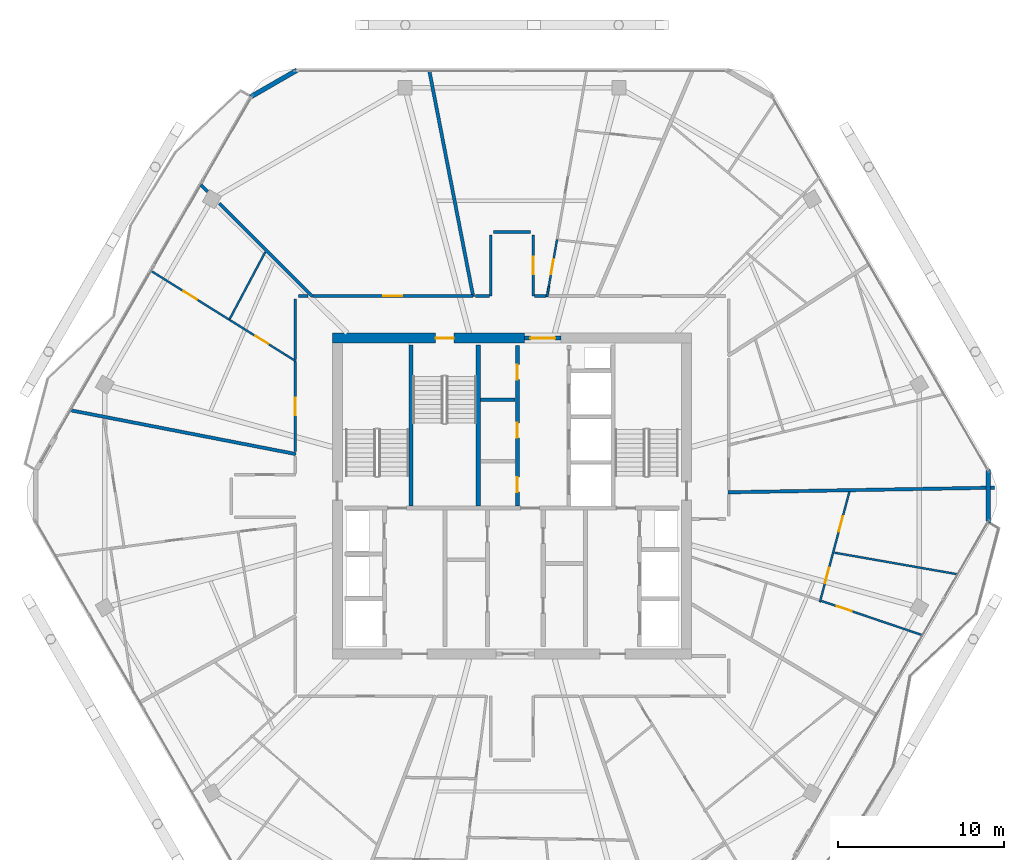
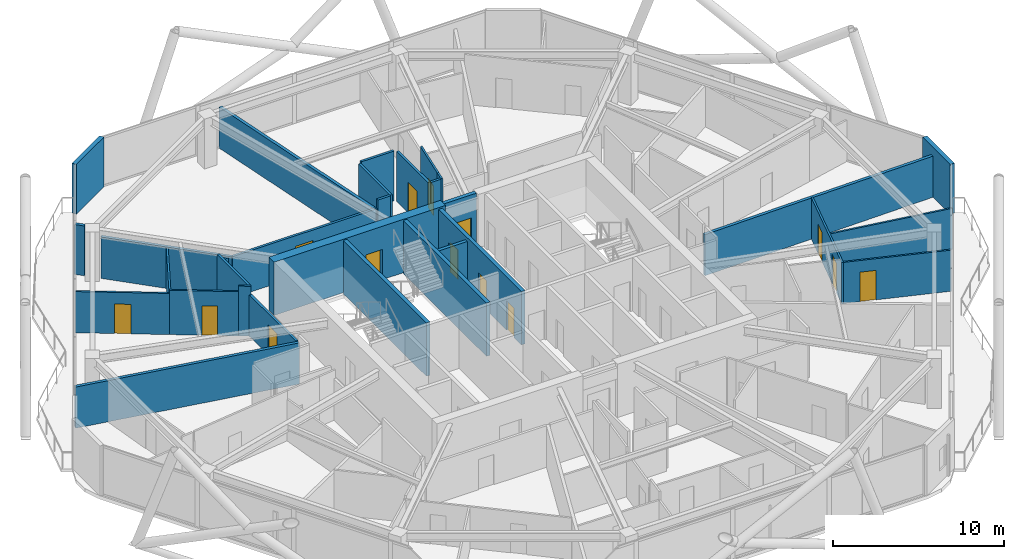
# One storey, part 23 of 29: 31 walls, 14 doors, 14 openings.
"""IFC4 building model written with IfcOpenShell, lengths in metres."""

from ifc_helpers import new_model, si_unit, direction, frame, frame_2d, origin, place, context, subcontext, project, spatial, rectangle, extrude, material, layer, layer_set, type_object, element, fill, save


model = new_model("IFC4")

# Units and contexts
model_context = context("Model", 3, precision=1e-05, world=origin(), true_north=direction((0.0, 1.0)))
body_context = subcontext(model_context, "Body", "Model", "MODEL_VIEW")
ifc_project = project(units=[si_unit("LENGTHUNIT", "METRE"), si_unit("AREAUNIT", "SQUARE_METRE"), si_unit("VOLUMEUNIT", "CUBIC_METRE"), si_unit("PLANEANGLEUNIT", "RADIAN"), si_unit("MASSUNIT", "GRAM", prefix="KILO")], contexts=[model_context])

# Site, building, storey
site_placement = place(None, origin())
site = spatial("IfcSite", under=ifc_project, at=site_placement, CompositionType="ELEMENT")
building_placement = place(site_placement, origin())
building = spatial("IfcBuilding", under=site, at=building_placement, Name="Zuhravey Tower", CompositionType="ELEMENT")
storey_placement = place(building_placement, frame((0.0, 0.0, 292.0)))
storey = spatial("IfcBuildingStorey", under=building, at=storey_placement, Name="L74", CompositionType="ELEMENT", Elevation=292.0)

# Wall, opening, door
ifc_material_1 = material(Name="Concrete C50/60", Category="concrete")
ifc_layer_1 = layer(ifc_material_1, 0.60009765625)
ifc_layer_set_1 = layer_set([ifc_layer_1], Name="Concrete C50/60")
wall_type_1 = type_object("IfcWallType", Name="Core Shear Wall 600", PredefinedType="SHEAR", material=ifc_layer_set_1)
wall_1_placement = place(storey_placement, frame((36.75, 41.5, 0.0), z_axis=(0.0, 0.0, 1.0), x_axis=(-1.0, 0.0, 0.0)))
wall_1 = element("IfcWall", 1, at=wall_1_placement, inside=storey, type_object=wall_type_1, Name="L74 North-West Core Shear Wall CW60", PredefinedType="SHEAR", context=body_context, shape_type="SweptSolid", body=[
    extrude(rectangle(XDim=11.550048828125, YDim=0.60009765625, at=frame_2d((5.77490234375, 0.0))), origin(), (0.0, 0.0, 1.0), 3.800048828125),
])
opening_1_placement = place(wall_1_placement, frame((4.25, 0.0, 0.0)))
opening_1 = element("IfcOpeningElement", 2, at=opening_1_placement, cuts=wall_1, Name="Opening STD1", PredefinedType="OPENING", context=body_context, shape_type="SweptSolid", body=[
    extrude(rectangle(XDim=1.10009765625, YDim=2.14990234375, at=frame_2d((0.550048828125, 1.074951171875))), frame((0.0, 0.31201171875, 0.0), z_axis=(0.0, -1.0, 0.0), x_axis=(1.0, 0.0, 0.0)), (0.0, 0.0, 1.0), 0.6240234375),
])
ifc_material_2 = material(Name="Galvanised fire-rated steel leaf", Category="steel")
door_type_1 = type_object("IfcDoorType", Name="Protected Stair Fire Door 1100x2150", OperationType="NOTDEFINED", PredefinedType="USERDEFINED", material=ifc_material_2)
door_1_placement = place(opening_1_placement, origin())
door_1 = element("IfcDoor", 3, at=door_1_placement, inside=storey, type_object=door_type_1, Name="L74 Stair ST3 Door", ObjectType="EXITDOOR", OperationType="SINGLE_SWING_RIGHT", OverallHeight=2.14990234375, OverallWidth=1.10009765625, PredefinedType="USERDEFINED", context=body_context, shape_type="SweptSolid", body=[
    extrude(rectangle(XDim=1.10009765625, YDim=2.14990234375, at=frame_2d((0.550048828125, 1.074951171875))), frame((0.0, 0.02490234375, 0.0), z_axis=(0.0, -1.0, 0.0), x_axis=(1.0, 0.0, 0.0)), (0.0, 0.0, 1.0), 0.050048828125),
])
fill(opening_1, door_1)

ifc_material_3 = material(Name="Gypsum fire-rated stud partition")
ifc_layer_2 = layer(ifc_material_3, 0.159912109375)
ifc_layer_set_2 = layer_set([ifc_layer_2], Name="Gypsum fire-rated stud partition")
wall_type_2 = type_object("IfcWallType", Name="Corridor Fire Partition 160", PredefinedType="PARTITIONING", material=ifc_layer_set_2)
wall_2_placement = place(storey_placement, frame((37.280029296875, 44.030029296875, 0.0), z_axis=(0.0, 0.0, 1.0), x_axis=(0.0, 1.0, 0.0)))
wall_2 = element("IfcWall", 4, at=wall_2_placement, inside=storey, type_object=wall_type_2, Name="L74 IW16 Partition 060", PredefinedType="PARTITIONING", context=body_context, shape_type="SweptSolid", body=[
    extrude(rectangle(XDim=3.669921875, YDim=0.159912109375, at=frame_2d((1.8349609375, 0.0))), origin(), (0.0, 0.0, 1.0), 3.550048828125),
])
opening_2_placement = place(wall_2_placement, frame((1.31005859375, 0.0, 0.0)))
opening_2 = element("IfcOpeningElement", 5, at=opening_2_placement, cuts=wall_2, Name="Opening APD1", PredefinedType="OPENING", context=body_context, shape_type="SweptSolid", body=[
    extrude(rectangle(XDim=1.050048828125, YDim=2.14990234375, at=frame_2d((0.52490234375, 1.074951171875))), frame((0.0, 0.092041015625, 0.0), z_axis=(0.0, -1.0, 0.0), x_axis=(1.0, 0.0, 0.0)), (0.0, 0.0, 1.0), 0.183837890625),
])
ifc_material_4 = material(Name="Solid-core oak fire-rated leaf")
door_type_2 = type_object("IfcDoorType", Name="Apartment Entrance Fire Door 1050x2150", OperationType="NOTDEFINED", PredefinedType="DOOR", material=ifc_material_4)
door_2_placement = place(opening_2_placement, origin())
door_2 = element("IfcDoor", 6, at=door_2_placement, inside=storey, type_object=door_type_2, Name="L74 Door 060.1", OperationType="SINGLE_SWING_RIGHT", OverallHeight=2.14990234375, OverallWidth=1.050048828125, PredefinedType="DOOR", context=body_context, shape_type="SweptSolid", body=[
    extrude(rectangle(XDim=1.050048828125, YDim=2.14990234375, at=frame_2d((0.52490234375, 1.074951171875))), frame((0.0, 0.02490234375, 0.0), z_axis=(0.0, -1.0, 0.0), x_axis=(1.0, 0.0, 0.0)), (0.0, 0.0, 1.0), 0.050048828125),
])
fill(opening_2, door_2)

wall_3_placement = place(storey_placement, frame((33.64111328125, 44.030029296875, 0.0), z_axis=(0.0, 0.0, 1.0), x_axis=(-1.0, 0.0, 0.0)))
wall_3 = element("IfcWall", 7, at=wall_3_placement, inside=storey, type_object=wall_type_2, Name="L74 IW16 Partition 061", PredefinedType="PARTITIONING", context=body_context, shape_type="SweptSolid", body=[
    extrude(rectangle(XDim=9.642822265625, YDim=0.159912109375, at=frame_2d((4.8212890625, 0.0))), origin(), (0.0, 0.0, 1.0), 2.949951171875),
])
opening_3_placement = place(wall_3_placement, frame((4.246337890625, 0.0, 0.0)))
opening_3 = element("IfcOpeningElement", 8, at=opening_3_placement, cuts=wall_3, Name="Opening CLD1", PredefinedType="OPENING", context=body_context, shape_type="SweptSolid", body=[
    extrude(rectangle(XDim=1.14990234375, YDim=2.199951171875, at=frame_2d((0.574951171875, 1.10009765625))), frame((0.0, 0.092041015625, 0.0), z_axis=(0.0, -1.0, 0.0), x_axis=(1.0, 0.0, 0.0)), (0.0, 0.0, 1.0), 0.183837890625),
])
ifc_material_5 = material(Name="Acoustic timber leaf with vision lite", Category="wood")
door_type_3 = type_object("IfcDoorType", Name="Classroom Acoustic Door 1150x2200", OperationType="NOTDEFINED", PredefinedType="DOOR", material=ifc_material_5)
door_3_placement = place(opening_3_placement, frame((1.14990234375, 0.0, 0.0), z_axis=(0.0, 0.0, 1.0), x_axis=(-1.0, 0.0, 0.0)))
door_3 = element("IfcDoor", 9, at=door_3_placement, inside=storey, type_object=door_type_3, Name="L74 Door 061.1", OperationType="SINGLE_SWING_LEFT", OverallHeight=2.199951171875, OverallWidth=1.14990234375, PredefinedType="DOOR", context=body_context, shape_type="SweptSolid", body=[
    extrude(rectangle(XDim=1.14990234375, YDim=2.199951171875, at=frame_2d((0.574951171875, 1.10009765625))), frame((0.0, 0.02490234375, 0.0), z_axis=(0.0, -1.0, 0.0), x_axis=(1.0, 0.0, 0.0)), (0.0, 0.0, 1.0), 0.050048828125),
])
fill(opening_3, door_3)

wall_4_placement = place(storey_placement, frame((22.969970703125, 40.105712890625, 0.0), z_axis=(0.0, 0.0, 1.0), x_axis=(0.0, -1.0, 0.0)))
wall_4 = element("IfcWall", 10, at=wall_4_placement, inside=storey, type_object=wall_type_2, Name="L74 IW16 Partition 064", PredefinedType="PARTITIONING", context=body_context, shape_type="SweptSolid", body=[
    extrude(rectangle(XDim=5.434326171875, YDim=0.159912109375, at=frame_2d((2.71728515625, 0.0))), origin(), (0.0, 0.0, 1.0), 2.949951171875),
])
opening_4_placement = place(wall_4_placement, frame((2.192138671875, 0.0, 0.0)))
opening_4 = element("IfcOpeningElement", 11, at=opening_4_placement, cuts=wall_4, Name="Opening APD1", PredefinedType="OPENING", context=body_context, shape_type="SweptSolid", body=[
    extrude(rectangle(XDim=1.050048828125, YDim=2.14990234375, at=frame_2d((0.52490234375, 1.074951171875))), frame((0.0, 0.092041015625, 0.0), z_axis=(0.0, -1.0, 0.0), x_axis=(1.0, 0.0, 0.0)), (0.0, 0.0, 1.0), 0.183837890625),
])
door_4_placement = place(opening_4_placement, frame((1.050048828125, 0.0, 0.0), z_axis=(0.0, 0.0, 1.0), x_axis=(-1.0, 0.0, 0.0)))
door_4 = element("IfcDoor", 12, at=door_4_placement, inside=storey, type_object=door_type_2, Name="L74 Door 064.1", OperationType="SINGLE_SWING_RIGHT", OverallHeight=2.14990234375, OverallWidth=1.050048828125, PredefinedType="DOOR", context=body_context, shape_type="SweptSolid", body=[
    extrude(rectangle(XDim=1.050048828125, YDim=2.14990234375, at=frame_2d((0.52490234375, 1.074951171875))), frame((0.0, 0.02490234375, 0.0), z_axis=(0.0, -1.0, 0.0), x_axis=(1.0, 0.0, 0.0)), (0.0, 0.0, 1.0), 0.050048828125),
])
fill(opening_4, door_4)

# Walls
wall_5_placement = place(storey_placement, frame((34.719970703125, 47.699951171875, 0.0), z_axis=(0.0, 0.0, 1.0), x_axis=(0.0, -1.0, 0.0)))
element("IfcWall", 13, at=wall_5_placement, inside=storey, type_object=wall_type_2, Name="L74 IW16 Partition 126", PredefinedType="PARTITIONING", context=body_context, shape_type="SweptSolid", body=[
    extrude(rectangle(XDim=3.669921875, YDim=0.159912109375, at=frame_2d((1.8349609375, 0.0))), origin(), (0.0, 0.0, 1.0), 3.550048828125),
])
wall_6_placement = place(storey_placement, frame((37.10009765625, 47.8798828125, 0.0), z_axis=(0.0, 0.0, 1.0), x_axis=(-1.0, 0.0, 0.0)))
element("IfcWall", 14, at=wall_6_placement, inside=storey, type_object=wall_type_2, Name="L74 IW16 Partition 127", PredefinedType="PARTITIONING", context=body_context, shape_type="SweptSolid", body=[
    extrude(rectangle(XDim=2.2001953125, YDim=0.159912109375, at=frame_2d((1.10009765625, 0.0))), origin(), (0.0, 0.0, 1.0), 3.550048828125),
])
wall_7_placement = place(storey_placement, frame((34.632080078125, 44.030029296875, 0.0), z_axis=(0.0, 0.0, 1.0), x_axis=(-1.0, 0.0, 0.0)))
element("IfcWall", 15, at=wall_7_placement, inside=storey, type_object=wall_type_2, Name="L74 IW16 Partition 128", PredefinedType="PARTITIONING", context=body_context, shape_type="SweptSolid", body=[
    extrude(rectangle(XDim=0.84130859375, YDim=0.159912109375, at=frame_2d((0.420654296875, 0.0))), origin(), (0.0, 0.0, 1.0), 3.550048828125),
])
wall_8_placement = place(storey_placement, frame((38.04345703125, 44.030029296875, 0.0), z_axis=(0.0, 0.0, 1.0), x_axis=(-1.0, 0.0, 0.0)))
element("IfcWall", 16, at=wall_8_placement, inside=storey, type_object=wall_type_2, Name="L74 IW16 Partition 129", PredefinedType="PARTITIONING", context=body_context, shape_type="SweptSolid", body=[
    extrude(rectangle(XDim=0.675537109375, YDim=0.159912109375, at=frame_2d((0.337890625, 0.0))), origin(), (0.0, 0.0, 1.0), 3.550048828125),
])
wall_9_placement = place(storey_placement, frame((22.969970703125, 43.85009765625, 0.0), z_axis=(0.0, 0.0, 1.0), x_axis=(0.0, -1.0, 0.0)))
element("IfcWall", 17, at=wall_9_placement, inside=storey, type_object=wall_type_2, Name="L74 IW16 Partition 131", PredefinedType="PARTITIONING", context=body_context, shape_type="SweptSolid", body=[
    extrude(rectangle(XDim=3.640625, YDim=0.159912109375, at=frame_2d((1.8203125, 0.0))), origin(), (0.0, 0.0, 1.0), 3.550048828125),
])
wall_10_placement = place(storey_placement, frame((23.7294921875, 44.030029296875, 0.0), z_axis=(0.0, 0.0, 1.0), x_axis=(-1.0, 0.0, 0.0)))
element("IfcWall", 18, at=wall_10_placement, inside=storey, type_object=wall_type_2, Name="L74 IW16 Partition 132", PredefinedType="PARTITIONING", context=body_context, shape_type="SweptSolid", body=[
    extrude(rectangle(XDim=0.57958984375, YDim=0.159912109375, at=frame_2d((0.289794921875, 0.0))), origin(), (0.0, 0.0, 1.0), 2.949951171875),
])
ifc_material_6 = material(Name="Precast concrete C40/50", Category="concrete")
ifc_layer_3 = layer(ifc_material_6, 0.280029296875)
ifc_layer_set_3 = layer_set([ifc_layer_3], Name="Precast concrete C40/50")
wall_type_3 = type_object("IfcWallType", Name="Crown Architectural Wall 280", PredefinedType="SOLIDWALL", material=ifc_layer_set_3)
for number, where, z_axis, x_axis, name in (
    (19, (20.285400390625, 56.003662109375, 0.0), (0.0, 0.0, 1.0), (0.866028773314, 0.499994163758, 0.0), "L74 Rounded Corner Closure Wall EW28-08"),
    (20, (64.64501953125, 33.607421875, 0.0), (0.0, 0.0, 1.0), (0.0, -1.0, 0.0), "L74 Rounded Corner Closure Wall EW28-12"),
):
    element("IfcWall", number, at=place(storey_placement, frame(where, z_axis=z_axis, x_axis=x_axis)), inside=storey, type_object=wall_type_3, Name=name, PredefinedType="SOLIDWALL", context=body_context, shape_type="SweptSolid", body=[
        extrude(rectangle(XDim=3.21484375, YDim=0.280029296875, at=frame_2d((1.607421875, 0.0))), origin(), (0.0, 0.0, 1.0), 3.550048828125),
    ])

# Wall, opening, door
ifc_layer_4 = layer(ifc_material_1, 0.25)
ifc_layer_set_4 = layer_set([ifc_layer_4], Name="Concrete C50/60")
wall_type_4 = type_object("IfcWallType", Name="Firefighting Shaft & Stair Wall 250", PredefinedType="SOLIDWALL", material=ifc_layer_set_4)
wall_11_placement = place(storey_placement, frame((36.760009765625, 41.5, 0.0), z_axis=(0.0, 0.0, 1.0), x_axis=(1.0, 0.0, 0.0)))
wall_11 = element("IfcWall", 21, at=wall_11_placement, inside=storey, type_object=wall_type_4, Name="L74 FW25 Shaft Wall 002", PredefinedType="SOLIDWALL", context=body_context, shape_type="SweptSolid", body=[
    extrude(rectangle(XDim=2.179931640625, YDim=0.25, at=frame_2d((1.08984375, 0.0))), origin(), (0.0, 0.0, 1.0), 3.800048828125),
])
opening_5_placement = place(wall_11_placement, frame((0.340087890625, 0.0, 0.0)))
opening_5 = element("IfcOpeningElement", 22, at=opening_5_placement, cuts=wall_11, Name="Opening FFD1", PredefinedType="OPENING", context=body_context, shape_type="SweptSolid", body=[
    extrude(rectangle(XDim=1.5, YDim=2.14990234375, at=frame_2d((0.75, 1.074951171875))), frame((0.0, 0.136962890625, 0.0), z_axis=(0.0, -1.0, 0.0), x_axis=(1.0, 0.0, 0.0)), (0.0, 0.0, 1.0), 0.27392578125),
])
door_type_4 = type_object("IfcDoorType", Name="Firefighting Lobby Double Door 1500x2150", OperationType="DOUBLE_DOOR_SINGLE_SWING", PredefinedType="DOOR", material=ifc_material_2)
door_5_placement = place(opening_5_placement, origin())
door_5 = element("IfcDoor", 23, at=door_5_placement, inside=storey, type_object=door_type_4, Name="L74 North Lift Lobby Exit Door", OperationType="DOUBLE_DOOR_SINGLE_SWING", OverallHeight=2.14990234375, OverallWidth=1.5, PredefinedType="DOOR", context=body_context, shape_type="SweptSolid", body=[
    extrude(rectangle(XDim=1.5, YDim=2.14990234375, at=frame_2d((0.75, 1.074951171875))), frame((0.0, 0.02490234375, 0.0), z_axis=(0.0, -1.0, 0.0), x_axis=(1.0, 0.0, 0.0)), (0.0, 0.0, 1.0), 0.050048828125),
])
fill(opening_5, door_5)

# Walls
for number, where, z_axis, x_axis, name in (
    (24, (29.925048828125, 31.39990234375, 0.0), (0.0, 0.0, 1.0), (0.0, 1.0, 0.0), "L74 FW25 Shaft Wall 004"),
    (25, (33.97509765625, 31.39990234375, 0.0), (0.0, 0.0, 1.0), (0.0, 1.0, 0.0), "L74 FW25 Shaft Wall 005"),
):
    element("IfcWall", number, at=place(storey_placement, frame(where, z_axis=z_axis, x_axis=x_axis)), inside=storey, type_object=wall_type_4, Name=name, PredefinedType="SOLIDWALL", context=body_context, shape_type="SweptSolid", body=[
        extrude(rectangle(XDim=9.7001953125, YDim=0.25, at=frame_2d((4.85009765625, 0.0))), origin(), (0.0, 0.0, 1.0), 3.800048828125),
    ])

# Wall, openings, doors
wall_12_placement = place(storey_placement, frame((36.324951171875, 31.39990234375, 0.0), z_axis=(0.0, 0.0, 1.0), x_axis=(0.0, 1.0, 0.0)))
wall_12 = element("IfcWall", 26, at=wall_12_placement, inside=storey, type_object=wall_type_4, Name="L74 FW25 Shaft Wall 007", PredefinedType="SOLIDWALL", context=body_context, shape_type="SweptSolid", body=[
    extrude(rectangle(XDim=9.650146484375, YDim=0.25, at=frame_2d((4.8251953125, 0.0))), origin(), (0.0, 0.0, 1.0), 3.800048828125),
])
opening_6_placement = place(wall_12_placement, frame((0.840087890625, 0.0, 0.0)))
opening_6 = element("IfcOpeningElement", 27, at=opening_6_placement, cuts=wall_12, Name="Opening RSD1", PredefinedType="OPENING", context=body_context, shape_type="SweptSolid", body=[
    extrude(rectangle(XDim=0.89990234375, YDim=2.10009765625, at=frame_2d((0.449951171875, 1.050048828125))), frame((0.0, 0.136962890625, 0.0), z_axis=(0.0, -1.0, 0.0), x_axis=(1.0, 0.0, 0.0)), (0.0, 0.0, 1.0), 0.27392578125),
])
opening_7_placement = place(wall_12_placement, frame((4.10009765625, 0.0, 0.0)))
opening_7 = element("IfcOpeningElement", 28, at=opening_7_placement, cuts=wall_12, Name="Opening RSD1", PredefinedType="OPENING", context=body_context, shape_type="SweptSolid", body=[
    extrude(rectangle(XDim=0.89990234375, YDim=2.10009765625, at=frame_2d((0.449951171875, 1.050048828125))), frame((0.0, 0.136962890625, 0.0), z_axis=(0.0, -1.0, 0.0), x_axis=(1.0, 0.0, 0.0)), (0.0, 0.0, 1.0), 0.27392578125),
])
opening_8_placement = place(wall_12_placement, frame((7.610107421875, 0.0, 0.0)))
opening_8 = element("IfcOpeningElement", 29, at=opening_8_placement, cuts=wall_12, Name="Opening RSD1", PredefinedType="OPENING", context=body_context, shape_type="SweptSolid", body=[
    extrude(rectangle(XDim=0.89990234375, YDim=2.10009765625, at=frame_2d((0.449951171875, 1.050048828125))), frame((0.0, 0.136962890625, 0.0), z_axis=(0.0, -1.0, 0.0), x_axis=(1.0, 0.0, 0.0)), (0.0, 0.0, 1.0), 0.27392578125),
])
ifc_material_7 = material(Name="Galvanised fire-rated steel access leaf", Category="steel")
door_type_5 = type_object("IfcDoorType", Name="Riser & Shaft Access Fire Door 900x2100", OperationType="NOTDEFINED", PredefinedType="DOOR", material=ifc_material_7)
door_6_placement = place(opening_6_placement, origin())
door_6 = element("IfcDoor", 30, at=door_6_placement, inside=storey, type_object=door_type_5, Name="L74 Core Staff WC Door", OperationType="SINGLE_SWING_RIGHT", OverallHeight=2.10009765625, OverallWidth=0.89990234375, PredefinedType="DOOR", context=body_context, shape_type="SweptSolid", body=[
    extrude(rectangle(XDim=0.89990234375, YDim=2.10009765625, at=frame_2d((0.449951171875, 1.050048828125))), frame((0.0, 0.02490234375, 0.0), z_axis=(0.0, -1.0, 0.0), x_axis=(1.0, 0.0, 0.0)), (0.0, 0.0, 1.0), 0.050048828125),
])
fill(opening_6, door_6)
door_7_placement = place(opening_7_placement, origin())
door_7 = element("IfcDoor", 31, at=door_7_placement, inside=storey, type_object=door_type_5, Name="L74 IT and Comms Room Door", OperationType="SINGLE_SWING_LEFT", OverallHeight=2.10009765625, OverallWidth=0.89990234375, PredefinedType="DOOR", context=body_context, shape_type="SweptSolid", body=[
    extrude(rectangle(XDim=0.89990234375, YDim=2.10009765625, at=frame_2d((0.449951171875, 1.050048828125))), frame((0.0, 0.02490234375, 0.0), z_axis=(0.0, -1.0, 0.0), x_axis=(1.0, 0.0, 0.0)), (0.0, 0.0, 1.0), 0.050048828125),
])
fill(opening_7, door_7)
door_8_placement = place(opening_8_placement, origin())
door_8 = element("IfcDoor", 32, at=door_8_placement, inside=storey, type_object=door_type_5, Name="L74 Janitor Linen Store Door", OperationType="SINGLE_SWING_RIGHT", OverallHeight=2.10009765625, OverallWidth=0.89990234375, PredefinedType="DOOR", context=body_context, shape_type="SweptSolid", body=[
    extrude(rectangle(XDim=0.89990234375, YDim=2.10009765625, at=frame_2d((0.449951171875, 1.050048828125))), frame((0.0, 0.02490234375, 0.0), z_axis=(0.0, -1.0, 0.0), x_axis=(1.0, 0.0, 0.0)), (0.0, 0.0, 1.0), 0.050048828125),
])
fill(opening_8, door_8)

# Walls
ifc_material_8 = material(Name="Gypsum double-stud party assembly")
ifc_layer_5 = layer(ifc_material_8, 0.199951171875)
ifc_layer_set_5 = layer_set([ifc_layer_5], Name="Gypsum double-stud party assembly")
wall_type_5 = type_object("IfcWallType", Name="Inter-Tenancy Party Wall 200", PredefinedType="PARTITIONING", material=ifc_layer_set_5)
wall_13_placement = place(storey_placement, frame((23.010009765625, 34.52490234375, 0.0), z_axis=(0.0, 0.0, 1.0), x_axis=(-0.981627538439, 0.190807169093, 0.0)))
element("IfcWall", 33, at=wall_13_placement, inside=storey, type_object=wall_type_5, Name="L74 IW20 Partition 071", PredefinedType="PARTITIONING", context=body_context, shape_type="SweptSolid", body=[
    extrude(rectangle(XDim=13.803466796875, YDim=0.199951171875, at=frame_2d((6.90185546875, 0.0))), origin(), (0.0, 0.0, 1.0), 2.929931640625),
])
wall_14_placement = place(storey_placement, frame((48.989990234375, 32.226806640625, 0.0), z_axis=(0.0, 0.0, 1.0), x_axis=(0.999847852854, 0.01744336962, 0.0)))
element("IfcWall", 34, at=wall_14_placement, inside=storey, type_object=wall_type_5, Name="L74 IW20 Partition 092", PredefinedType="PARTITIONING", context=body_context, shape_type="SweptSolid", body=[
    extrude(rectangle(XDim=16.025634765625, YDim=0.199951171875, at=frame_2d((8.0126953125, 0.0))), origin(), (0.0, 0.0, 1.0), 2.929931640625),
])
wall_15_placement = place(storey_placement, frame((33.66943359375, 43.989990234375, 0.0), z_axis=(0.0, 0.0, 1.0), x_axis=(-0.190806334077, 0.981627700748, 0.0)))
element("IfcWall", 35, at=wall_15_placement, inside=storey, type_object=wall_type_5, Name="L74 IW20 Partition 105", PredefinedType="PARTITIONING", context=body_context, shape_type="SweptSolid", body=[
    extrude(rectangle(XDim=13.827880859375, YDim=0.199951171875, at=frame_2d((6.9140625, 0.0))), origin(), (0.0, 0.0, 1.0), 2.929931640625),
])
wall_16_placement = place(storey_placement, frame((23.998291015625, 44.001708984375, 0.0), z_axis=(0.0, 0.0, 1.0), x_axis=(-0.707106781187, 0.707106781187, 0.0)))
element("IfcWall", 36, at=wall_16_placement, inside=storey, type_object=wall_type_5, Name="L74 IW20 Partition 106", PredefinedType="PARTITIONING", context=body_context, shape_type="SweptSolid", body=[
    extrude(rectangle(XDim=7.915283203125, YDim=0.199951171875, at=frame_2d((3.95751953125, 0.0))), origin(), (0.0, 0.0, 1.0), 2.949951171875),
])
wall_17_placement = place(storey_placement, frame((17.7001953125, 50.2998046875, 0.0), z_axis=(0.0, 0.0, 1.0), x_axis=(-0.707106781187, 0.707106781187, 0.0)))
element("IfcWall", 37, at=wall_17_placement, inside=storey, type_object=wall_type_5, Name="L74 IW20 Partition 107", PredefinedType="PARTITIONING", context=body_context, shape_type="SweptSolid", body=[
    extrude(rectangle(XDim=0.585693359375, YDim=0.199951171875, at=frame_2d((0.29296875, 0.0))), origin(), (0.0, 0.0, 1.0), 3.550048828125),
])
ifc_material_9 = material(Name="Gypsum acoustic stud assembly")
ifc_layer_6 = layer(ifc_material_9, 0.219970703125)
ifc_layer_set_6 = layer_set([ifc_layer_6], Name="Gypsum acoustic stud assembly")
wall_type_6 = type_object("IfcWallType", Name="School Acoustic Compartment Wall 220", PredefinedType="PARTITIONING", material=ifc_layer_set_6)
wall_18_placement = place(storey_placement, frame((34.10791015625, 37.800048828125, 0.0), z_axis=(0.0, 0.0, 1.0), x_axis=(1.0, 0.0, 0.0)))
element("IfcWall", 38, at=wall_18_placement, inside=storey, type_object=wall_type_6, Name="L74 IW22 Partition 066", PredefinedType="PARTITIONING", context=body_context, shape_type="SweptSolid", body=[
    extrude(rectangle(XDim=2.083984375, YDim=0.219970703125, at=frame_2d((1.0419921875, 0.0))), origin(), (0.0, 0.0, 1.0), 3.550048828125),
])

# Wall, openings, doors
ifc_material_10 = material(Name="Gypsum metal-stud partition")
ifc_layer_7 = layer(ifc_material_10, 0.1201171875)
ifc_layer_set_7 = layer_set([ifc_layer_7], Name="Gypsum metal-stud partition")
wall_type_7 = type_object("IfcWallType", Name="Unit Internal Partition 120", PredefinedType="PARTITIONING", material=ifc_layer_set_7)
wall_19_placement = place(storey_placement, frame((54.510498046875, 25.62158203125, 0.0), z_axis=(0.0, 0.0, 1.0), x_axis=(0.258833493947, 0.965921954617, 0.0)))
wall_19 = element("IfcWall", 39, at=wall_19_placement, inside=storey, type_object=wall_type_7, Name="L74 IW12 Partition 043", PredefinedType="PARTITIONING", context=body_context, shape_type="SweptSolid", body=[
    extrude(rectangle(XDim=6.890380859375, YDim=0.1201171875, at=frame_2d((3.4453125, 0.0))), origin(), (0.0, 0.0, 1.0), 2.949951171875),
])
opening_9_placement = place(wall_19_placement, frame((1.193115234375, 0.0, 0.0)))
opening_9 = element("IfcOpeningElement", 40, at=opening_9_placement, cuts=wall_19, Name="Opening IND1", PredefinedType="OPENING", context=body_context, shape_type="SweptSolid", body=[
    extrude(rectangle(XDim=0.949951171875, YDim=2.10009765625, at=frame_2d((0.47509765625, 1.050048828125))), frame((0.0, 0.072021484375, 0.0), z_axis=(0.0, -1.0, 0.0), x_axis=(1.0, 0.0, 0.0)), (0.0, 0.0, 1.0), 0.14404296875),
])
opening_10_placement = place(wall_19_placement, frame((4.397705078125, 0.0, 0.0)))
opening_10 = element("IfcOpeningElement", 41, at=opening_10_placement, cuts=wall_19, Name="Opening IND1", PredefinedType="OPENING", context=body_context, shape_type="SweptSolid", body=[
    extrude(rectangle(XDim=0.949951171875, YDim=2.10009765625, at=frame_2d((0.47509765625, 1.050048828125))), frame((0.0, 0.072021484375, 0.0), z_axis=(0.0, -1.0, 0.0), x_axis=(1.0, 0.0, 0.0)), (0.0, 0.0, 1.0), 0.14404296875),
])
ifc_material_11 = material(Name="Painted engineered timber leaf", Category="wood")
door_type_6 = type_object("IfcDoorType", Name="Internal Room & Bedroom Door 950x2100", OperationType="NOTDEFINED", PredefinedType="DOOR", material=ifc_material_11)
door_9_placement = place(opening_9_placement, frame((0.949951171875, 0.0, 0.0), z_axis=(0.0, 0.0, 1.0), x_axis=(-1.0, 0.0, 0.0)))
door_9 = element("IfcDoor", 42, at=door_9_placement, inside=storey, type_object=door_type_6, Name="Apartment L74-05 Family Study Door", OperationType="SINGLE_SWING_LEFT", OverallHeight=2.10009765625, OverallWidth=0.949951171875, PredefinedType="DOOR", context=body_context, shape_type="SweptSolid", body=[
    extrude(rectangle(XDim=0.949951171875, YDim=2.10009765625, at=frame_2d((0.47509765625, 1.050048828125))), frame((0.0, 0.02490234375, 0.0), z_axis=(0.0, -1.0, 0.0), x_axis=(1.0, 0.0, 0.0)), (0.0, 0.0, 1.0), 0.050048828125),
])
fill(opening_9, door_9)
door_10_placement = place(opening_10_placement, frame((0.949951171875, 0.0, 0.0), z_axis=(0.0, 0.0, 1.0), x_axis=(-1.0, 0.0, 0.0)))
door_10 = element("IfcDoor", 43, at=door_10_placement, inside=storey, type_object=door_type_6, Name="Apartment L74-05 Dining Room Door", OperationType="SINGLE_SWING_RIGHT", OverallHeight=2.10009765625, OverallWidth=0.949951171875, PredefinedType="DOOR", context=body_context, shape_type="SweptSolid", body=[
    extrude(rectangle(XDim=0.949951171875, YDim=2.10009765625, at=frame_2d((0.47509765625, 1.050048828125))), frame((0.0, 0.02490234375, 0.0), z_axis=(0.0, -1.0, 0.0), x_axis=(1.0, 0.0, 0.0)), (0.0, 0.0, 1.0), 0.050048828125),
])
fill(opening_10, door_10)

# Wall, opening, door
wall_20_placement = place(storey_placement, frame((54.60107421875, 25.69677734375, 0.0), z_axis=(0.0, 0.0, 1.0), x_axis=(0.947084656941, -0.320983882128, 0.0)))
wall_20 = element("IfcWall", 44, at=wall_20_placement, inside=storey, type_object=wall_type_7, Name="L74 IW12 Partition 046", PredefinedType="PARTITIONING", context=body_context, shape_type="SweptSolid", body=[
    extrude(rectangle(XDim=6.431640625, YDim=0.1201171875, at=frame_2d((3.2158203125, 0.0))), origin(), (0.0, 0.0, 1.0), 2.929931640625),
])
opening_11_placement = place(wall_20_placement, frame((0.9853515625, 0.0, 0.0)))
opening_11 = element("IfcOpeningElement", 45, at=opening_11_placement, cuts=wall_20, Name="Opening IND1", PredefinedType="OPENING", context=body_context, shape_type="SweptSolid", body=[
    extrude(rectangle(XDim=0.949951171875, YDim=2.10009765625, at=frame_2d((0.47509765625, 1.050048828125))), frame((0.0, 0.072021484375, 0.0), z_axis=(0.0, -1.0, 0.0), x_axis=(1.0, 0.0, 0.0)), (0.0, 0.0, 1.0), 0.14404296875),
])
door_11_placement = place(opening_11_placement, frame((0.949951171875, 0.0, 0.0), z_axis=(0.0, 0.0, 1.0), x_axis=(-1.0, 0.0, 0.0)))
door_11 = element("IfcDoor", 46, at=door_11_placement, inside=storey, type_object=door_type_6, Name="Apartment L74-05 Kitchen Door", OperationType="SINGLE_SWING_RIGHT", OverallHeight=2.10009765625, OverallWidth=0.949951171875, PredefinedType="DOOR", context=body_context, shape_type="SweptSolid", body=[
    extrude(rectangle(XDim=0.949951171875, YDim=2.10009765625, at=frame_2d((0.47509765625, 1.050048828125))), frame((0.0, 0.02490234375, 0.0), z_axis=(0.0, -1.0, 0.0), x_axis=(1.0, 0.0, 0.0)), (0.0, 0.0, 1.0), 0.050048828125),
])
fill(opening_11, door_11)

wall_21_placement = place(storey_placement, frame((38.212646484375, 44.60009765625, 0.0), z_axis=(0.0, 0.0, 1.0), x_axis=(0.172952580591, 0.984930152278, 0.0)))
wall_21 = element("IfcWall", 47, at=wall_21_placement, inside=storey, type_object=wall_type_7, Name="L74 IW12 Partition 057", PredefinedType="PARTITIONING", context=body_context, shape_type="SweptSolid", body=[
    extrude(rectangle(XDim=2.876953125, YDim=0.1201171875, at=frame_2d((1.4384765625, 0.0))), origin(), (0.0, 0.0, 1.0), 3.550048828125),
])
opening_12_placement = place(wall_21_placement, frame((0.75830078125, 0.0, 0.0)))
opening_12 = element("IfcOpeningElement", 48, at=opening_12_placement, cuts=wall_21, Name="Opening WCD1", PredefinedType="OPENING", context=body_context, shape_type="SweptSolid", body=[
    extrude(rectangle(XDim=0.89990234375, YDim=2.10009765625, at=frame_2d((0.449951171875, 1.050048828125))), frame((0.0, 0.072021484375, 0.0), z_axis=(0.0, -1.0, 0.0), x_axis=(1.0, 0.0, 0.0)), (0.0, 0.0, 1.0), 0.14404296875),
])
ifc_material_12 = material(Name="Moisture-resistant timber leaf", Category="wood")
door_type_7 = type_object("IfcDoorType", Name="Bathroom & WC Internal Door 900x2100", OperationType="NOTDEFINED", PredefinedType="DOOR", material=ifc_material_12)
door_12_placement = place(opening_12_placement, frame((0.89990234375, 0.0, 0.0), z_axis=(0.0, 0.0, 1.0), x_axis=(-1.0, 0.0, 0.0)))
door_12 = element("IfcDoor", 49, at=door_12_placement, inside=storey, type_object=door_type_7, Name="Apartment L74-08 Bathroom Door", OperationType="SINGLE_SWING_LEFT", OverallHeight=2.10009765625, OverallWidth=0.89990234375, PredefinedType="DOOR", context=body_context, shape_type="SweptSolid", body=[
    extrude(rectangle(XDim=0.89990234375, YDim=2.10009765625, at=frame_2d((0.449951171875, 1.050048828125))), frame((0.0, 0.02490234375, 0.0), z_axis=(0.0, -1.0, 0.0), x_axis=(1.0, 0.0, 0.0)), (0.0, 0.0, 1.0), 0.050048828125),
])
fill(opening_12, door_12)

wall_22_placement = place(storey_placement, frame((22.39990234375, 40.485107421875, 0.0), z_axis=(0.0, 0.0, 1.0), x_axis=(-0.848426577967, 0.529313084856, 0.0)))
wall_22 = element("IfcWall", 50, at=wall_22_placement, inside=storey, type_object=wall_type_7, Name="L74 IW12 Partition 062", PredefinedType="PARTITIONING", context=body_context, shape_type="SweptSolid", body=[
    extrude(rectangle(XDim=4.03271484375, YDim=0.1201171875, at=frame_2d((2.016357421875, 0.0))), origin(), (0.0, 0.0, 1.0), 3.14990234375),
])
opening_13_placement = place(wall_22_placement, frame((1.243896484375, 0.0, 0.0)))
opening_13 = element("IfcOpeningElement", 51, at=opening_13_placement, cuts=wall_22, Name="Opening WCD1", PredefinedType="OPENING", context=body_context, shape_type="SweptSolid", body=[
    extrude(rectangle(XDim=0.89990234375, YDim=2.10009765625, at=frame_2d((0.449951171875, 1.050048828125))), frame((0.0, 0.072021484375, 0.0), z_axis=(0.0, -1.0, 0.0), x_axis=(1.0, 0.0, 0.0)), (0.0, 0.0, 1.0), 0.14404296875),
])
door_13_placement = place(opening_13_placement, frame((0.89990234375, 0.0, 0.0), z_axis=(0.0, 0.0, 1.0), x_axis=(-1.0, 0.0, 0.0)))
door_13 = element("IfcDoor", 52, at=door_13_placement, inside=storey, type_object=door_type_7, Name="Apartment L74-10 Bathroom Door", OperationType="SINGLE_SWING_RIGHT", OverallHeight=2.10009765625, OverallWidth=0.89990234375, PredefinedType="DOOR", context=body_context, shape_type="SweptSolid", body=[
    extrude(rectangle(XDim=0.89990234375, YDim=2.10009765625, at=frame_2d((0.449951171875, 1.050048828125))), frame((0.0, 0.02490234375, 0.0), z_axis=(0.0, -1.0, 0.0), x_axis=(1.0, 0.0, 0.0)), (0.0, 0.0, 1.0), 0.050048828125),
])
fill(opening_13, door_13)

wall_23_placement = place(storey_placement, frame((18.978515625, 42.61962890625, 0.0), z_axis=(0.0, 0.0, 1.0), x_axis=(-0.848420368306, 0.529323038081, 0.0)))
wall_23 = element("IfcWall", 53, at=wall_23_placement, inside=storey, type_object=wall_type_7, Name="L74 IW12 Partition 063", PredefinedType="PARTITIONING", context=body_context, shape_type="SweptSolid", body=[
    extrude(rectangle(XDim=5.52099609375, YDim=0.1201171875, at=frame_2d((2.760498046875, 0.0))), origin(), (0.0, 0.0, 1.0), 2.929931640625),
])
opening_14_placement = place(wall_23_placement, frame((2.260498046875, 0.0, 0.0)))
opening_14 = element("IfcOpeningElement", 54, at=opening_14_placement, cuts=wall_23, Name="Opening IND1", PredefinedType="OPENING", context=body_context, shape_type="SweptSolid", body=[
    extrude(rectangle(XDim=0.949951171875, YDim=2.10009765625, at=frame_2d((0.47509765625, 1.050048828125))), frame((0.0, 0.072021484375, 0.0), z_axis=(0.0, -1.0, 0.0), x_axis=(1.0, 0.0, 0.0)), (0.0, 0.0, 1.0), 0.14404296875),
])
door_14_placement = place(opening_14_placement, frame((0.949951171875, 0.0, 0.0), z_axis=(0.0, 0.0, 1.0), x_axis=(-1.0, 0.0, 0.0)))
door_14 = element("IfcDoor", 55, at=door_14_placement, inside=storey, type_object=door_type_6, Name="Apartment L74-10 Bedroom 1 Door", OperationType="SINGLE_SWING_LEFT", OverallHeight=2.10009765625, OverallWidth=0.949951171875, PredefinedType="DOOR", context=body_context, shape_type="SweptSolid", body=[
    extrude(rectangle(XDim=0.949951171875, YDim=2.10009765625, at=frame_2d((0.47509765625, 1.050048828125))), frame((0.0, 0.02490234375, 0.0), z_axis=(0.0, -1.0, 0.0), x_axis=(1.0, 0.0, 0.0)), (0.0, 0.0, 1.0), 0.050048828125),
])
fill(opening_14, door_14)

# Walls
wall_24_placement = place(storey_placement, frame((55.37890625, 28.599609375, 0.0), z_axis=(0.0, 0.0, 1.0), x_axis=(0.984955483735, -0.172808260973, 0.0)))
element("IfcWall", 56, at=wall_24_placement, inside=storey, type_object=wall_type_7, Name="L74 IW12 Partition 090", PredefinedType="PARTITIONING", context=body_context, shape_type="SweptSolid", body=[
    extrude(rectangle(XDim=7.569580078125, YDim=0.1201171875, at=frame_2d((3.78466796875, 0.0))), origin(), (0.0, 0.0, 1.0), 2.929931640625),
])
wall_25_placement = place(storey_placement, frame((38.104736328125, 43.9853515625, 0.0), z_axis=(0.0, 0.0, 1.0), x_axis=(0.172892682852, 0.984940668374, 0.0)))
element("IfcWall", 57, at=wall_25_placement, inside=storey, type_object=wall_type_7, Name="L74 IW12 Partition 102", PredefinedType="PARTITIONING", context=body_context, shape_type="SweptSolid", body=[
    extrude(rectangle(XDim=0.6240234375, YDim=0.1201171875, at=frame_2d((0.31201171875, 0.0))), origin(), (0.0, 0.0, 1.0), 3.550048828125),
])
wall_26_placement = place(storey_placement, frame((23.0078125, 40.105712890625, 0.0), z_axis=(0.0, 0.0, 1.0), x_axis=(-0.848342652785, 0.529447583304, 0.0)))
element("IfcWall", 58, at=wall_26_placement, inside=storey, type_object=wall_type_7, Name="L74 IW12 Partition 108", PredefinedType="PARTITIONING", context=body_context, shape_type="SweptSolid", body=[
    extrude(rectangle(XDim=0.716552734375, YDim=0.1201171875, at=frame_2d((0.3583984375, 0.0))), origin(), (0.0, 0.0, 1.0), 3.550048828125),
])
wall_27_placement = place(storey_placement, frame((21.166259765625, 46.680908203125, 0.0), z_axis=(0.0, 0.0, 1.0), x_axis=(-0.469475824994, -0.88294532659, 0.0)))
element("IfcWall", 59, at=wall_27_placement, inside=storey, type_object=wall_type_7, Name="L74 IW12 Partition 109", PredefinedType="PARTITIONING", context=body_context, shape_type="SweptSolid", body=[
    extrude(rectangle(XDim=4.546630859375, YDim=0.1201171875, at=frame_2d((2.2734375, 0.0))), origin(), (0.0, 0.0, 1.0), 2.949951171875),
])

save(model, "model.ifc")
